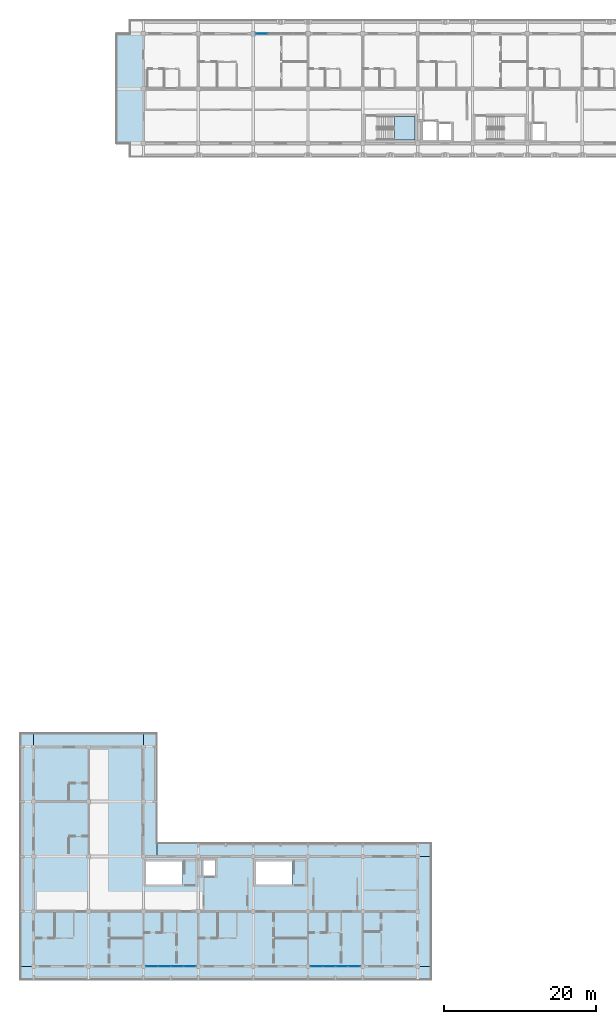
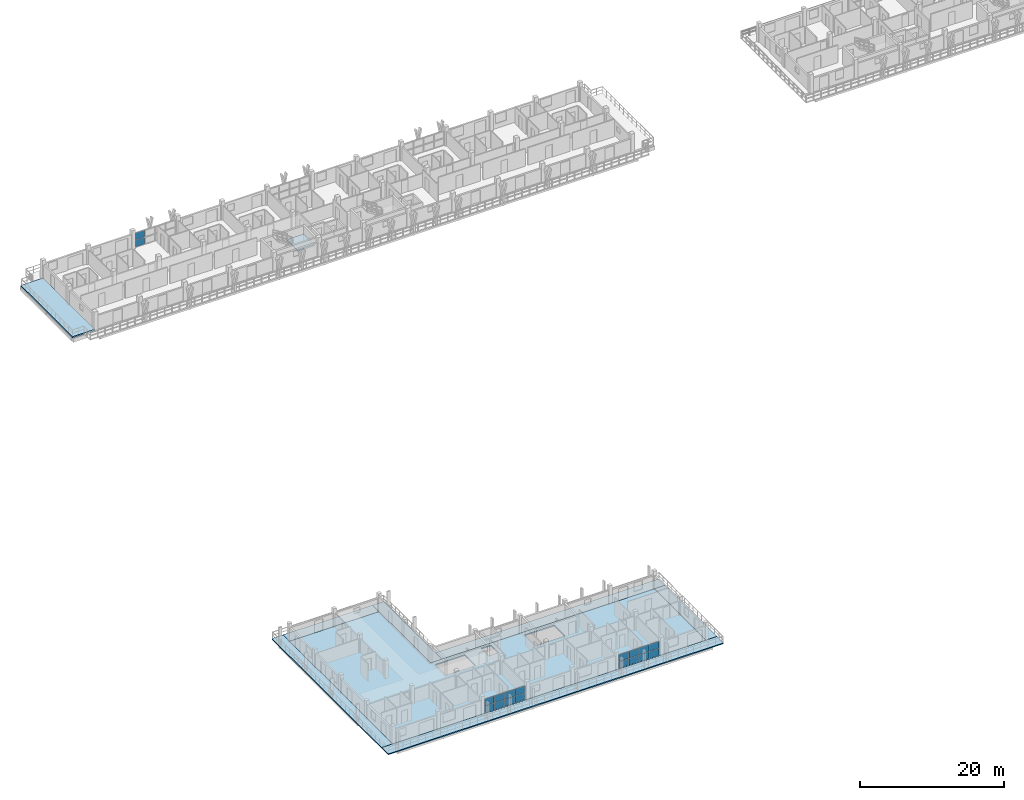
# One storey, part 29 of 65: 18 plates, 9 slabs, 4 elements without a shape of their own.
"""IFC4 building model written with IfcOpenShell, lengths in metres."""

from ifc_helpers import new_model, si_unit, direction, frame, origin, origin_2d, place, context, subcontext, project, spatial, polyline, rectangle, outline, extrude, material, layer, layer_set, type_object, element, aggregate, save


model = new_model("IFC4")

# Units and contexts
model_context = context("Model", 3, precision=1e-05, world=origin(), true_north=direction((0.0, 1.0)))
body_context = subcontext(model_context, "Body", "Model", "MODEL_VIEW")
ifc_project = project(units=[si_unit("LENGTHUNIT", "METRE"), si_unit("AREAUNIT", "SQUARE_METRE"), si_unit("VOLUMEUNIT", "CUBIC_METRE"), si_unit("PLANEANGLEUNIT", "RADIAN"), si_unit("MASSUNIT", "GRAM", prefix="KILO")], contexts=[model_context])

# Site, building, storey
site_placement = place(None, origin())
site = spatial("IfcSite", under=ifc_project, at=site_placement, CompositionType="ELEMENT")
building_placement = place(site_placement, origin())
building = spatial("IfcBuilding", under=site, at=building_placement, Name="Suanplinth Sawtooth Commons", CompositionType="ELEMENT")
storey_placement = place(building_placement, frame((0.0, 0.0, 28.300048828125)))
storey = spatial("IfcBuildingStorey", under=building, at=storey_placement, Name="L08", CompositionType="ELEMENT", Elevation=28.300048828125)

# Curtain wall, plates
ifc_material_1 = material(Name="Anodized aluminium and low-E glazing", Category="aluminium")
curtain_wall_type = type_object("IfcCurtainWallType", Name="CW-06", PredefinedType="USERDEFINED", material=ifc_material_1)
curtain_wall_1_placement = place(storey_placement, origin())
curtain_wall_1 = element("IfcCurtainWall", 1, at=curtain_wall_1_placement, inside=storey, type_object=curtain_wall_type, Name="Curtain Wall CW-L08-A-LOUNGE-2", ObjectType="CURTAIN WALL", PredefinedType="USERDEFINED")
ifc_material_2 = material(Name="Tempered low-E double glazing", Category="glass")
ifc_layer_1 = layer(ifc_material_2, 0.028076171875, Name="Vision low-E insulated glazing unit 28mm")
ifc_layer_set_1 = layer_set([ifc_layer_1], Name="Tempered low-E double glazing")
plate_type = type_object("IfcPlateType", Name="PL-05", PredefinedType="CURTAIN_PANEL", material=ifc_layer_set_1)
plate_1_placement = place(storey_placement, frame((29.941162109375, 122.39990234375, 0.06494140625), z_axis=(0.0, 0.0, 1.0), x_axis=(1.0, 0.0, 0.0)))
plate_1 = element("IfcPlate", 2, at=plate_1_placement, type_object=plate_type, Name="CW-06 panel 1.1", PredefinedType="CURTAIN_PANEL", context=body_context, shape_type="SweptSolid", body=[
    extrude(rectangle(XDim=1.552490234375, YDim=0.028076171875, at=origin_2d()), origin(), (0.0, 0.0, 1.0), 1.152587890625),
])
plate_2_placement = place(storey_placement, frame((29.941162109375, 122.39990234375, 1.2822265625), z_axis=(0.0, 0.0, 1.0), x_axis=(1.0, 0.0, 0.0)))
plate_2 = element("IfcPlate", 3, at=plate_2_placement, type_object=plate_type, Name="CW-06 panel 1.2", PredefinedType="CURTAIN_PANEL", context=body_context, shape_type="SweptSolid", body=[
    extrude(rectangle(XDim=1.552490234375, YDim=0.028076171875, at=origin_2d()), origin(), (0.0, 0.0, 1.0), 1.152587890625),
])
aggregate(curtain_wall_1, [plate_1, plate_2])

curtain_wall_2_placement = place(storey_placement, origin())
curtain_wall_2 = element("IfcCurtainWall", 4, at=curtain_wall_2_placement, inside=storey, type_object=curtain_wall_type, Name="Curtain Wall CW-L08-D-LOUNGE-2", ObjectType="CURTAIN WALL", PredefinedType="USERDEFINED")
plate_3_placement = place(storey_placement, frame((15.5224609375, 0.0, 0.06494140625), z_axis=(0.0, 0.0, 1.0), x_axis=(1.0, 0.0, 0.0)))
plate_3 = element("IfcPlate", 5, at=plate_3_placement, type_object=plate_type, Name="CW-06 panel 1.1", PredefinedType="CURTAIN_PANEL", context=body_context, shape_type="SweptSolid", body=[
    extrude(rectangle(XDim=1.56494140625, YDim=0.028076171875, at=origin_2d()), origin(), (0.0, 0.0, 1.0), 1.152587890625),
])
plate_4_placement = place(storey_placement, frame((15.5224609375, 0.0, 1.2822265625), z_axis=(0.0, 0.0, 1.0), x_axis=(1.0, 0.0, 0.0)))
plate_4 = element("IfcPlate", 6, at=plate_4_placement, type_object=plate_type, Name="CW-06 panel 1.2", PredefinedType="CURTAIN_PANEL", context=body_context, shape_type="SweptSolid", body=[
    extrude(rectangle(XDim=1.56494140625, YDim=0.028076171875, at=origin_2d()), origin(), (0.0, 0.0, 1.0), 1.152587890625),
])
plate_5_placement = place(storey_placement, frame((17.168701171875, 0.0, 0.06494140625), z_axis=(0.0, 0.0, 1.0), x_axis=(1.0, 0.0, 0.0)))
plate_5 = element("IfcPlate", 7, at=plate_5_placement, type_object=plate_type, Name="CW-06 panel 2.1", PredefinedType="CURTAIN_PANEL", context=body_context, shape_type="SweptSolid", body=[
    extrude(rectangle(XDim=1.597412109375, YDim=0.028076171875, at=origin_2d()), origin(), (0.0, 0.0, 1.0), 1.152587890625),
])
plate_6_placement = place(storey_placement, frame((17.168701171875, 0.0, 1.2822265625), z_axis=(0.0, 0.0, 1.0), x_axis=(1.0, 0.0, 0.0)))
plate_6 = element("IfcPlate", 8, at=plate_6_placement, type_object=plate_type, Name="CW-06 panel 2.2", PredefinedType="CURTAIN_PANEL", context=body_context, shape_type="SweptSolid", body=[
    extrude(rectangle(XDim=1.597412109375, YDim=0.028076171875, at=origin_2d()), origin(), (0.0, 0.0, 1.0), 1.152587890625),
])
plate_7_placement = place(storey_placement, frame((18.831298828125, 0.0, 0.06494140625), z_axis=(0.0, 0.0, 1.0), x_axis=(1.0, 0.0, 0.0)))
plate_7 = element("IfcPlate", 9, at=plate_7_placement, type_object=plate_type, Name="CW-06 panel 3.1", PredefinedType="CURTAIN_PANEL", context=body_context, shape_type="SweptSolid", body=[
    extrude(rectangle(XDim=1.597412109375, YDim=0.028076171875, at=origin_2d()), origin(), (0.0, 0.0, 1.0), 1.152587890625),
])
plate_8_placement = place(storey_placement, frame((18.831298828125, 0.0, 1.2822265625), z_axis=(0.0, 0.0, 1.0), x_axis=(1.0, 0.0, 0.0)))
plate_8 = element("IfcPlate", 10, at=plate_8_placement, type_object=plate_type, Name="CW-06 panel 3.2", PredefinedType="CURTAIN_PANEL", context=body_context, shape_type="SweptSolid", body=[
    extrude(rectangle(XDim=1.597412109375, YDim=0.028076171875, at=origin_2d()), origin(), (0.0, 0.0, 1.0), 1.152587890625),
])
plate_9_placement = place(storey_placement, frame((20.4775390625, 0.0, 0.06494140625), z_axis=(0.0, 0.0, 1.0), x_axis=(1.0, 0.0, 0.0)))
plate_9 = element("IfcPlate", 11, at=plate_9_placement, type_object=plate_type, Name="CW-06 panel 4.1", PredefinedType="CURTAIN_PANEL", context=body_context, shape_type="SweptSolid", body=[
    extrude(rectangle(XDim=1.56494140625, YDim=0.028076171875, at=origin_2d()), origin(), (0.0, 0.0, 1.0), 1.152587890625),
])
plate_10_placement = place(storey_placement, frame((20.4775390625, 0.0, 1.2822265625), z_axis=(0.0, 0.0, 1.0), x_axis=(1.0, 0.0, 0.0)))
plate_10 = element("IfcPlate", 12, at=plate_10_placement, type_object=plate_type, Name="CW-06 panel 4.2", PredefinedType="CURTAIN_PANEL", context=body_context, shape_type="SweptSolid", body=[
    extrude(rectangle(XDim=1.56494140625, YDim=0.028076171875, at=origin_2d()), origin(), (0.0, 0.0, 1.0), 1.152587890625),
])
aggregate(curtain_wall_2, [plate_3, plate_4, plate_5, plate_6, plate_7, plate_8, plate_9, plate_10])

curtain_wall_3_placement = place(storey_placement, origin())
curtain_wall_3 = element("IfcCurtainWall", 13, at=curtain_wall_3_placement, inside=storey, type_object=curtain_wall_type, Name="Curtain Wall CW-L08-D-LOUNGE-5", ObjectType="CURTAIN WALL", PredefinedType="USERDEFINED")
plate_11_placement = place(storey_placement, frame((37.12255859375, 0.0, 0.06494140625), z_axis=(0.0, 0.0, 1.0), x_axis=(1.0, 0.0, 0.0)))
plate_11 = element("IfcPlate", 14, at=plate_11_placement, type_object=plate_type, Name="CW-06 panel 1.1", PredefinedType="CURTAIN_PANEL", context=body_context, shape_type="SweptSolid", body=[
    extrude(rectangle(XDim=1.56494140625, YDim=0.028076171875, at=origin_2d()), origin(), (0.0, 0.0, 1.0), 1.152587890625),
])
plate_12_placement = place(storey_placement, frame((37.12255859375, 0.0, 1.2822265625), z_axis=(0.0, 0.0, 1.0), x_axis=(1.0, 0.0, 0.0)))
plate_12 = element("IfcPlate", 15, at=plate_12_placement, type_object=plate_type, Name="CW-06 panel 1.2", PredefinedType="CURTAIN_PANEL", context=body_context, shape_type="SweptSolid", body=[
    extrude(rectangle(XDim=1.56494140625, YDim=0.028076171875, at=origin_2d()), origin(), (0.0, 0.0, 1.0), 1.152587890625),
])
plate_13_placement = place(storey_placement, frame((38.768798828125, 0.0, 0.06494140625), z_axis=(0.0, 0.0, 1.0), x_axis=(1.0, 0.0, 0.0)))
plate_13 = element("IfcPlate", 16, at=plate_13_placement, type_object=plate_type, Name="CW-06 panel 2.1", PredefinedType="CURTAIN_PANEL", context=body_context, shape_type="SweptSolid", body=[
    extrude(rectangle(XDim=1.597412109375, YDim=0.028076171875, at=origin_2d()), origin(), (0.0, 0.0, 1.0), 1.152587890625),
])
plate_14_placement = place(storey_placement, frame((38.768798828125, 0.0, 1.2822265625), z_axis=(0.0, 0.0, 1.0), x_axis=(1.0, 0.0, 0.0)))
plate_14 = element("IfcPlate", 17, at=plate_14_placement, type_object=plate_type, Name="CW-06 panel 2.2", PredefinedType="CURTAIN_PANEL", context=body_context, shape_type="SweptSolid", body=[
    extrude(rectangle(XDim=1.597412109375, YDim=0.028076171875, at=origin_2d()), origin(), (0.0, 0.0, 1.0), 1.152587890625),
])
plate_15_placement = place(storey_placement, frame((40.43115234375, 0.0, 0.06494140625), z_axis=(0.0, 0.0, 1.0), x_axis=(1.0, 0.0, 0.0)))
plate_15 = element("IfcPlate", 18, at=plate_15_placement, type_object=plate_type, Name="CW-06 panel 3.1", PredefinedType="CURTAIN_PANEL", context=body_context, shape_type="SweptSolid", body=[
    extrude(rectangle(XDim=1.597412109375, YDim=0.028076171875, at=origin_2d()), origin(), (0.0, 0.0, 1.0), 1.152587890625),
])
plate_16_placement = place(storey_placement, frame((40.43115234375, 0.0, 1.2822265625), z_axis=(0.0, 0.0, 1.0), x_axis=(1.0, 0.0, 0.0)))
plate_16 = element("IfcPlate", 19, at=plate_16_placement, type_object=plate_type, Name="CW-06 panel 3.2", PredefinedType="CURTAIN_PANEL", context=body_context, shape_type="SweptSolid", body=[
    extrude(rectangle(XDim=1.597412109375, YDim=0.028076171875, at=origin_2d()), origin(), (0.0, 0.0, 1.0), 1.152587890625),
])
plate_17_placement = place(storey_placement, frame((42.077392578125, 0.0, 0.06494140625), z_axis=(0.0, 0.0, 1.0), x_axis=(1.0, 0.0, 0.0)))
plate_17 = element("IfcPlate", 20, at=plate_17_placement, type_object=plate_type, Name="CW-06 panel 4.1", PredefinedType="CURTAIN_PANEL", context=body_context, shape_type="SweptSolid", body=[
    extrude(rectangle(XDim=1.56494140625, YDim=0.028076171875, at=origin_2d()), origin(), (0.0, 0.0, 1.0), 1.152587890625),
])
plate_18_placement = place(storey_placement, frame((42.077392578125, 0.0, 1.2822265625), z_axis=(0.0, 0.0, 1.0), x_axis=(1.0, 0.0, 0.0)))
plate_18 = element("IfcPlate", 21, at=plate_18_placement, type_object=plate_type, Name="CW-06 panel 4.2", PredefinedType="CURTAIN_PANEL", context=body_context, shape_type="SweptSolid", body=[
    extrude(rectangle(XDim=1.56494140625, YDim=0.028076171875, at=origin_2d()), origin(), (0.0, 0.0, 1.0), 1.152587890625),
])
aggregate(curtain_wall_3, [plate_11, plate_12, plate_13, plate_14, plate_15, plate_16, plate_17, plate_18])

# Slabs
ifc_material_3 = material(Name="Precast concrete C40/50", Category="concrete")
ifc_layer_2 = layer(ifc_material_3, 0.179931640625, Name="Wrap-around cantilevered precast balcony slab 180mm")
ifc_layer_set_2 = layer_set([ifc_layer_2], Name="Precast concrete C40/50")
slab_type_1 = type_object("IfcSlabType", Name="S-BL01", PredefinedType="FLOOR", material=ifc_layer_set_2)
slab_1_placement = place(storey_placement, frame((0.0, 0.0, -0.179931640625)))
element("IfcSlab", 22, at=slab_1_placement, inside=storey, type_object=slab_type_1, Name="L08 Block D Wrap-Around Balcony S", PredefinedType="FLOOR", context=body_context, shape_type="SweptSolid", body=[
    extrude(outline(polyline([(52.199951171875, 0.0), (52.199951171875, -1.800048828125), (-1.800048828125, -1.800048828125), (-1.800048828125, 0.0), (52.199951171875, 0.0)])), origin(), (0.0, 0.0, 1.0), 0.179931640625),
])
slab_2_placement = place(storey_placement, frame((0.0, 0.0, -0.179931640625)))
element("IfcSlab", 23, at=slab_2_placement, inside=storey, type_object=slab_type_1, Name="L08 Block D Wrap-Around Balcony W", PredefinedType="FLOOR", context=body_context, shape_type="SweptSolid", body=[
    extrude(outline(polyline([(0.0, 0.0), (-1.800048828125, 0.0), (-1.800048828125, 30.60009765625), (0.0, 30.60009765625), (0.0, 0.0)])), origin(), (0.0, 0.0, 1.0), 0.179931640625),
])
slab_3_placement = place(storey_placement, frame((0.0, 0.0, -0.179931640625)))
element("IfcSlab", 24, at=slab_3_placement, inside=storey, type_object=slab_type_1, Name="L08 Block D Wrap-Around Balcony EEND", PredefinedType="FLOOR", context=body_context, shape_type="SweptSolid", body=[
    extrude(outline(polyline([(52.199951171875, 14.39990234375), (52.199951171875, 0.0), (50.39990234375, 0.0), (50.39990234375, 14.39990234375), (52.199951171875, 14.39990234375)])), origin(), (0.0, 0.0, 1.0), 0.179931640625),
])
slab_4_placement = place(storey_placement, frame((0.0, 0.0, -0.179931640625)))
element("IfcSlab", 25, at=slab_4_placement, inside=storey, type_object=slab_type_1, Name="L08 Block D Wrap-Around Balcony NEND", PredefinedType="FLOOR", context=body_context, shape_type="SweptSolid", body=[
    extrude(outline(polyline([(0.0, 30.60009765625), (14.39990234375, 30.60009765625), (14.39990234375, 28.800048828125), (0.0, 28.800048828125), (0.0, 30.60009765625)])), origin(), (0.0, 0.0, 1.0), 0.179931640625),
])
ifc_layer_3 = layer(ifc_material_3, 0.175048828125, Name="Courtyard cantilevered precast balcony slab 175mm")
ifc_layer_set_3 = layer_set([ifc_layer_3], Name="Precast concrete C40/50")
slab_type_2 = type_object("IfcSlabType", Name="S-BL02", PredefinedType="FLOOR", material=ifc_layer_set_3)
slab_5_placement = place(storey_placement, frame((0.0, 0.0, -0.175048828125)))
element("IfcSlab", 26, at=slab_5_placement, inside=storey, type_object=slab_type_2, Name="L08 Block D Wrap-Around Balcony NC", PredefinedType="FLOOR", context=body_context, shape_type="SweptSolid", body=[
    extrude(outline(polyline([(16.199951171875, 16.199951171875), (52.199951171875, 16.199951171875), (52.199951171875, 14.39990234375), (16.199951171875, 14.39990234375), (16.199951171875, 16.199951171875)])), origin(), (0.0, 0.0, 1.0), 0.175048828125),
])
slab_6_placement = place(storey_placement, frame((0.0, 0.0, -0.175048828125)))
element("IfcSlab", 27, at=slab_6_placement, inside=storey, type_object=slab_type_2, Name="L08 Block D Wrap-Around Balcony EC", PredefinedType="FLOOR", context=body_context, shape_type="SweptSolid", body=[
    extrude(outline(polyline([(14.39990234375, 30.60009765625), (16.199951171875, 30.60009765625), (16.199951171875, 14.39990234375), (14.39990234375, 14.39990234375), (14.39990234375, 30.60009765625)])), origin(), (0.0, 0.0, 1.0), 0.175048828125),
])
ifc_layer_4 = layer(ifc_material_3, 0.2099609375, Name="Precast hollow-core + topping floor slab 210mm")
ifc_layer_set_4 = layer_set([ifc_layer_4], Name="Precast concrete C40/50")
slab_type_3 = type_object("IfcSlabType", Name="S-FL04", PredefinedType="FLOOR", material=ifc_layer_set_4)
slab_7_placement = place(storey_placement, frame((0.0, 0.0, -0.2099609375)))
element("IfcSlab", 28, at=slab_7_placement, inside=storey, type_object=slab_type_3, Name="L08 Block D Structural Floor Plate", PredefinedType="FLOOR", context=body_context, shape_type="SweptSolid", body=[
    extrude(outline(polyline([(0.0, 0.0), (0.0, 28.800048828125), (14.39990234375, 28.800048828125), (14.39990234375, 14.39990234375), (50.39990234375, 14.39990234375), (50.39990234375, 0.0), (0.0, 0.0)]), holes=[polyline([(14.75, 10.75), (19.510009765625, 10.75), (19.510009765625, 13.75), (14.75, 13.75), (14.75, 10.75)]), polyline([(22.25, 11.85009765625), (23.85009765625, 11.85009765625), (23.85009765625, 13.949951171875), (22.25, 13.949951171875), (22.25, 11.85009765625)]), polyline([(29.14990234375, 10.75), (33.909912109375, 10.75), (33.909912109375, 13.75), (29.14990234375, 13.75), (29.14990234375, 10.75)])]), origin(), (0.0, 0.0, 1.0), 0.2099609375),
])

# Stair, slab
ifc_material_4 = material(Name="Concrete C40/50", Category="concrete")
stair_type = type_object("IfcStairType", Name="ST-03", PredefinedType="USERDEFINED", material=ifc_material_4)
stair_placement = place(storey_placement, origin())
stair = element("IfcStair", 29, at=stair_placement, inside=storey, type_object=stair_type, Name="L08 Exit Stair ST-N1", ObjectType="TWO_RETURN_STAIR", PredefinedType="USERDEFINED")
ifc_layer_5 = layer(ifc_material_4, 0.199951171875, Name="Reinforced concrete stair and ramp landing slab 200mm")
ifc_layer_set_5 = layer_set([ifc_layer_5], Name="Concrete C40/50")
slab_type_4 = type_object("IfcSlabType", Name="S-LD01", PredefinedType="LANDING", material=ifc_layer_set_5)
slab_8_placement = place(storey_placement, frame((0.0, 0.0, 1.39990234375)))
slab_8 = element("IfcSlab", 30, at=slab_8_placement, type_object=slab_type_4, Name="ST-03 landing 1", PredefinedType="LANDING", context=body_context, shape_type="SweptSolid", body=[
    extrude(outline(polyline([(47.330078125, 108.449951171875), (50.050048828125, 108.449951171875), (50.050048828125, 111.550048828125), (47.330078125, 111.550048828125), (47.330078125, 108.449951171875)])), origin(), (0.0, 0.0, 1.0), 0.199951171875),
])
aggregate(stair, [slab_8])

# Slab
ifc_layer_6 = layer(ifc_material_4, 0.239990234375, Name="Stepped sky-terrace & courtyard garden slab 240mm")
ifc_layer_set_6 = layer_set([ifc_layer_6], Name="Concrete C40/50")
slab_type_5 = type_object("IfcSlabType", Name="S-TR01", PredefinedType="FLOOR", material=ifc_layer_set_6)
slab_9_placement = place(storey_placement, frame((0.0, 0.0, -0.239990234375)))
element("IfcSlab", 31, at=slab_9_placement, inside=storey, type_object=slab_type_5, Name="L08 Block A Stepped Sky-Terrace 1", PredefinedType="FLOOR", context=body_context, shape_type="SweptSolid", body=[
    extrude(outline(polyline([(10.800048828125, 108.0), (10.800048828125, 122.39990234375), (14.39990234375, 122.39990234375), (14.39990234375, 108.0), (10.800048828125, 108.0)])), origin(), (0.0, 0.0, 1.0), 0.239990234375),
])

save(model, "model.ifc")
